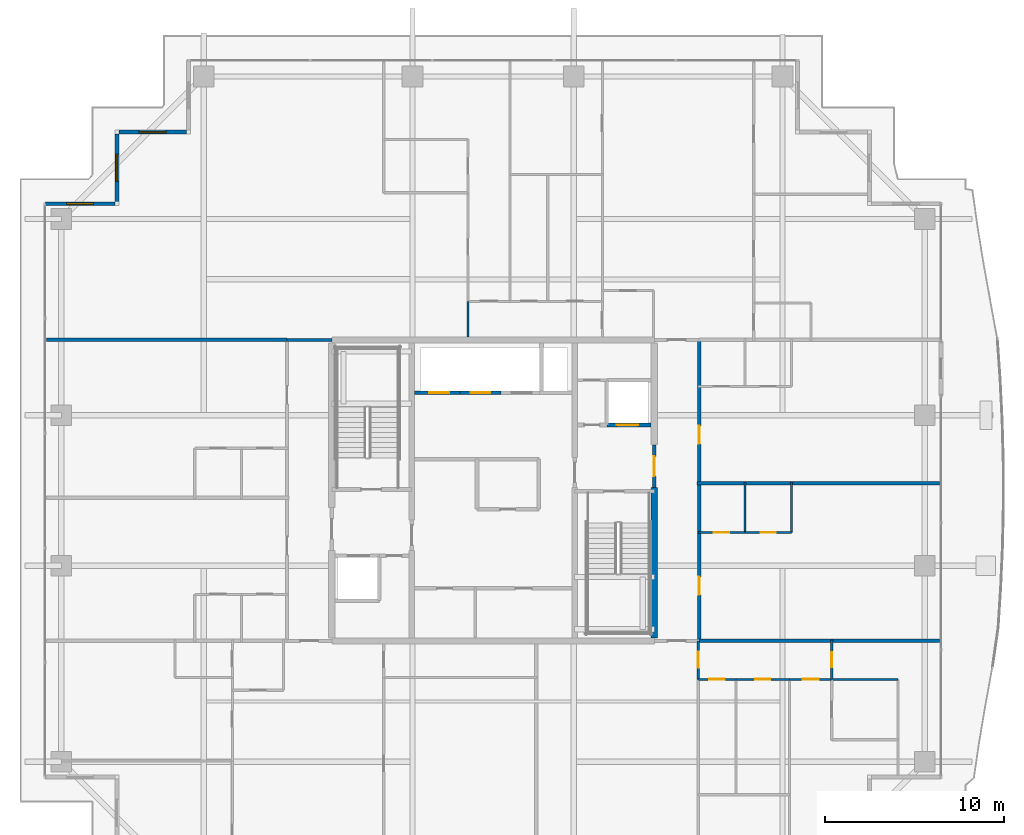
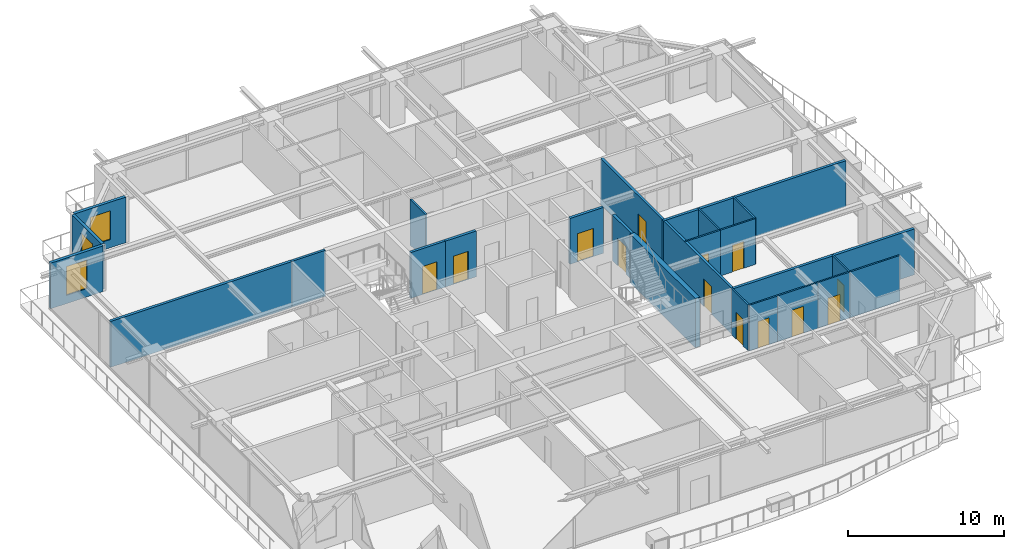
# One storey, part 28 of 37: 24 walls, 13 doors, 3 windows, 16 openings.
"""IFC4 building model written with IfcOpenShell, lengths in metres."""

from ifc_helpers import new_model, si_unit, direction, frame, frame_2d, origin, place, context, subcontext, project, spatial, rectangle, extrude, source, transform, mapped, material, layer, layer_set, type_object, element, fill, save


model = new_model("IFC4")

# Units and contexts
model_context = context("Model", 3, precision=1e-05, world=origin(), true_north=direction((0.0, 1.0)))
body_context = subcontext(model_context, "Body", "Model", "MODEL_VIEW")
ifc_project = project(units=[si_unit("LENGTHUNIT", "METRE"), si_unit("AREAUNIT", "SQUARE_METRE"), si_unit("VOLUMEUNIT", "CUBIC_METRE"), si_unit("PLANEANGLEUNIT", "RADIAN"), si_unit("MASSUNIT", "GRAM", prefix="KILO")], contexts=[model_context])

# Site, building, storey
site_placement = place(None, origin())
site = spatial("IfcSite", under=ifc_project, at=site_placement, CompositionType="ELEMENT")
building_placement = place(site_placement, origin())
building = spatial("IfcBuilding", under=site, at=building_placement, Name="Serunith Strait Residences", CompositionType="ELEMENT")
storey_placement = place(building_placement, frame((0.0, 0.0, 260.5)))
storey = spatial("IfcBuildingStorey", under=building, at=storey_placement, Name="L65", CompositionType="ELEMENT", Elevation=260.5)

# Wall, opening, window
ifc_material_1 = material(Name="Pale-Champagne Aluminium Insulated Panel", Category="aluminium")
ifc_layer_1 = layer(ifc_material_1, 0.219970703125, Name="Pale-Champagne Aluminium Insulated Panel")
ifc_layer_set_1 = layer_set([ifc_layer_1], Name="Pale-Champagne Aluminium Insulated Panel")
wall_type_1 = type_object("IfcWallType", Name="EW-ALUM-220", PredefinedType="ELEMENTEDWALL", material=ifc_layer_set_1)
wall_1_placement = place(storey_placement, frame((15.2900390625, 45.199951171875, 0.0), z_axis=(0.0, 0.0, 1.0), x_axis=(-1.0, 0.0, 0.0)))
wall_1 = element("IfcWall", 1, at=wall_1_placement, inside=storey, type_object=wall_type_1, Name="L65 Girih Serrated Corner Wall 13", PredefinedType="ELEMENTEDWALL", context=body_context, shape_type="SweptSolid", body=[
    extrude(rectangle(XDim=3.780029296875, YDim=0.219970703125, at=frame_2d((1.89013671875, 0.0))), origin(), (0.0, 0.0, 1.0), 3.574951171875),
])
opening_1_placement = place(wall_1_placement, frame((1.139892578125, 0.0, 0.64990234375)))
opening_1 = element("IfcOpeningElement", 2, at=opening_1_placement, cuts=wall_1, Name="Opening W-05", PredefinedType="OPENING", context=body_context, shape_type="SweptSolid", body=[
    extrude(rectangle(XDim=1.5, YDim=2.25, at=frame_2d((0.75, 1.125))), frame((0.0, 0.1201171875, 0.0), z_axis=(0.0, -1.0, 0.0), x_axis=(1.0, 0.0, 0.0)), (0.0, 0.0, 1.0), 0.239990234375),
])
ifc_material_2 = material(Name="Ceramic-Fritted Operable Aluminium Window Glass", Category="aluminium")
window_type = type_object("IfcWindowType", Name="WIN-C5", PartitioningType="DOUBLE_PANEL_VERTICAL", PredefinedType="WINDOW", material=ifc_material_2)
shared_shape_1 = source(origin(), body_context, "Body", "SweptSolid", [
    extrude(rectangle(XDim=1.5, YDim=2.25, at=frame_2d((0.75, 1.125))), frame((0.0, 0.030029296875, 0.0), z_axis=(0.0, -1.0, 0.0), x_axis=(1.0, 0.0, 0.0)), (0.0, 0.0, 1.0), 0.06005859375),
])
window_1_placement = place(opening_1_placement, origin())
window_1 = element("IfcWindow", 3, at=window_1_placement, inside=storey, type_object=window_type, Name="L65 Corner Operable Fritted Window 13", OverallHeight=2.25, OverallWidth=1.5, PartitioningType="SINGLE_PANEL", PredefinedType="WINDOW", context=body_context, shape_type="MappedRepresentation", body=[
    mapped(shared_shape_1, transform((0.0, 0.0, 0.0), scale=1.0)),
])
fill(opening_1, window_1)

wall_2_placement = place(storey_placement, frame((11.39990234375, 45.090087890625, 0.0), z_axis=(0.0, 0.0, 1.0), x_axis=(0.0, -1.0, 0.0)))
wall_2 = element("IfcWall", 4, at=wall_2_placement, inside=storey, type_object=wall_type_1, Name="L65 Girih Serrated Corner Wall 14", PredefinedType="ELEMENTEDWALL", context=body_context, shape_type="SweptSolid", body=[
    extrude(rectangle(XDim=3.780029296875, YDim=0.219970703125, at=frame_2d((1.89013671875, 0.0))), origin(), (0.0, 0.0, 1.0), 3.574951171875),
])
opening_2_placement = place(wall_2_placement, frame((1.139892578125, 0.0, 0.64990234375)))
opening_2 = element("IfcOpeningElement", 5, at=opening_2_placement, cuts=wall_2, Name="Opening W-05", PredefinedType="OPENING", context=body_context, shape_type="SweptSolid", body=[
    extrude(rectangle(XDim=1.5, YDim=2.25, at=frame_2d((0.75, 1.125))), frame((0.0, 0.1201171875, 0.0), z_axis=(0.0, -1.0, 0.0), x_axis=(1.0, 0.0, 0.0)), (0.0, 0.0, 1.0), 0.239990234375),
])
window_2_placement = place(opening_2_placement, origin())
window_2 = element("IfcWindow", 6, at=window_2_placement, inside=storey, type_object=window_type, Name="L65 Corner Operable Fritted Window 14", OverallHeight=2.25, OverallWidth=1.5, PartitioningType="SINGLE_PANEL", PredefinedType="WINDOW", context=body_context, shape_type="MappedRepresentation", body=[
    mapped(shared_shape_1, transform((0.0, 0.0, 0.0), scale=1.0)),
])
fill(opening_2, window_2)

wall_3_placement = place(storey_placement, frame((11.2900390625, 41.199951171875, 0.0), z_axis=(0.0, 0.0, 1.0), x_axis=(-1.0, 0.0, 0.0)))
wall_3 = element("IfcWall", 7, at=wall_3_placement, inside=storey, type_object=wall_type_1, Name="L65 Girih Serrated Corner Wall 15", PredefinedType="ELEMENTEDWALL", context=body_context, shape_type="SweptSolid", body=[
    extrude(rectangle(XDim=3.89013671875, YDim=0.219970703125, at=frame_2d((1.945068359375, 0.0))), origin(), (0.0, 0.0, 1.0), 3.574951171875),
])
opening_3_placement = place(wall_3_placement, frame((1.195068359375, 0.0, 0.64990234375)))
opening_3 = element("IfcOpeningElement", 8, at=opening_3_placement, cuts=wall_3, Name="Opening W-05", PredefinedType="OPENING", context=body_context, shape_type="SweptSolid", body=[
    extrude(rectangle(XDim=1.5, YDim=2.25, at=frame_2d((0.75, 1.125))), frame((0.0, 0.1201171875, 0.0), z_axis=(0.0, -1.0, 0.0), x_axis=(1.0, 0.0, 0.0)), (0.0, 0.0, 1.0), 0.239990234375),
])
window_3_placement = place(opening_3_placement, origin())
window_3 = element("IfcWindow", 9, at=window_3_placement, inside=storey, type_object=window_type, Name="L65 Corner Operable Fritted Window 15", OverallHeight=2.25, OverallWidth=1.5, PartitioningType="SINGLE_PANEL", PredefinedType="WINDOW", context=body_context, shape_type="MappedRepresentation", body=[
    mapped(shared_shape_1, transform((0.0, 0.0, 0.0), scale=1.0)),
])
fill(opening_3, window_3)

# Wall
ifc_material_3 = material(Name="Fire-rated acoustic gypsum partition")
ifc_layer_2 = layer(ifc_material_3, 0.179931640625, Name="Fire-rated acoustic gypsum partition")
ifc_layer_set_2 = layer_set([ifc_layer_2], Name="Fire-rated acoustic gypsum partition")
wall_type_2 = type_object("IfcWallType", Name="IW-CORR-180", PredefinedType="PARTITIONING", material=ifc_layer_set_2)
wall_4_placement = place(storey_placement, frame((20.902099609375, 33.60009765625, 0.0), z_axis=(0.0, 0.0, 1.0), x_axis=(1.0, 0.0, 0.0)))
element("IfcWall", 10, at=wall_4_placement, inside=storey, type_object=wall_type_2, Name="L65 Partition Wall 027", PredefinedType="PARTITIONING", context=body_context, shape_type="SweptSolid", body=[
    extrude(rectangle(XDim=2.495849609375, YDim=0.179931640625, at=frame_2d((1.248046875, 0.0))), origin(), (0.0, 0.0, 1.0), 3.590087890625),
])

# Wall, openings, doors
wall_5_placement = place(storey_placement, frame((43.89990234375, 16.800048828125, 0.0), z_axis=(0.0, 0.0, 1.0), x_axis=(0.0, 1.0, 0.0)))
wall_5 = element("IfcWall", 11, at=wall_5_placement, inside=storey, type_object=wall_type_2, Name="L65 Partition Wall 031", PredefinedType="PARTITIONING", context=body_context, shape_type="SweptSolid", body=[
    extrude(rectangle(XDim=16.800048828125, YDim=0.179931640625, at=frame_2d((8.39990234375, 0.0))), origin(), (0.0, 0.0, 1.0), 3.590087890625),
])
opening_4_placement = place(wall_5_placement, frame((2.574951171875, 0.0, 0.0)))
opening_4 = element("IfcOpeningElement", 12, at=opening_4_placement, cuts=wall_5, Name="Opening D-APT1000", PredefinedType="OPENING", context=body_context, shape_type="SweptSolid", body=[
    extrude(rectangle(XDim=1.0, YDim=2.14990234375, at=frame_2d((0.5, 1.074951171875))), frame((0.0, 0.10009765625, 0.0), z_axis=(0.0, -1.0, 0.0), x_axis=(1.0, 0.0, 0.0)), (0.0, 0.0, 1.0), 0.199951171875),
])
opening_5_placement = place(wall_5_placement, frame((10.9970703125, 0.0, 0.0)))
opening_5 = element("IfcOpeningElement", 13, at=opening_5_placement, cuts=wall_5, Name="Opening D-APT1000", PredefinedType="OPENING", context=body_context, shape_type="SweptSolid", body=[
    extrude(rectangle(XDim=1.0, YDim=2.14990234375, at=frame_2d((0.5, 1.074951171875))), frame((0.0, 0.10009765625, 0.0), z_axis=(0.0, -1.0, 0.0), x_axis=(1.0, 0.0, 0.0)), (0.0, 0.0, 1.0), 0.199951171875),
])
ifc_material_4 = material(Name="Solid timber engineered fire door", Category="wood")
door_type_1 = type_object("IfcDoorType", Name="ID-APT-1000", OperationType="NOTDEFINED", PredefinedType="DOOR", material=ifc_material_4)
shared_shape_2 = source(origin(), body_context, "Body", "SweptSolid", [
    extrude(rectangle(XDim=1.0, YDim=2.14990234375, at=frame_2d((0.5, 1.074951171875))), frame((0.0, 0.02490234375, 0.0), z_axis=(0.0, -1.0, 0.0), x_axis=(1.0, 0.0, 0.0)), (0.0, 0.0, 1.0), 0.050048828125),
])
door_1_placement = place(opening_4_placement, origin())
door_1 = element("IfcDoor", 14, at=door_1_placement, inside=storey, type_object=door_type_1, Name="L65 Unit 06 Entrance Door", OperationType="SINGLE_SWING_LEFT", OverallHeight=2.14990234375, OverallWidth=1.0, PredefinedType="DOOR", context=body_context, shape_type="MappedRepresentation", body=[
    mapped(shared_shape_2, transform((0.0, 0.0, 0.0), scale=1.0)),
])
fill(opening_4, door_1)
door_2_placement = place(opening_5_placement, origin())
door_2 = element("IfcDoor", 15, at=door_2_placement, inside=storey, type_object=door_type_1, Name="L65 Unit 07 Entrance Door", OperationType="SINGLE_SWING_RIGHT", OverallHeight=2.14990234375, OverallWidth=1.0, PredefinedType="DOOR", context=body_context, shape_type="MappedRepresentation", body=[
    mapped(shared_shape_2, transform((0.0, 0.0, 0.0), scale=1.0)),
])
fill(opening_5, door_2)

# Wall, opening, door
ifc_material_5 = material(Name="Lightweight steel-stud gypsum partition", Category="steel")
ifc_layer_3 = layer(ifc_material_5, 0.1201171875, Name="Lightweight steel-stud gypsum partition")
ifc_layer_set_3 = layer_set([ifc_layer_3], Name="Lightweight steel-stud gypsum partition")
wall_type_3 = type_object("IfcWallType", Name="IW-PART-120", PredefinedType="PARTITIONING", material=ifc_layer_set_3)
wall_6_placement = place(storey_placement, frame((43.85009765625, 14.64990234375, 0.0), z_axis=(0.0, 0.0, 1.0), x_axis=(0.0, 1.0, 0.0)))
wall_6 = element("IfcWall", 16, at=wall_6_placement, inside=storey, type_object=wall_type_3, Name="L65 Partition Wall 045", PredefinedType="PARTITIONING", context=body_context, shape_type="SweptSolid", body=[
    extrude(rectangle(XDim=2.148193359375, YDim=0.1201171875, at=frame_2d((1.07421875, 0.0))), origin(), (0.0, 0.0, 1.0), 3.590087890625),
])
opening_6_placement = place(wall_6_placement, frame((0.64208984375, 0.0, 0.0)))
opening_6 = element("IfcOpeningElement", 17, at=opening_6_placement, cuts=wall_6, Name="Opening D-RM900", PredefinedType="OPENING", context=body_context, shape_type="SweptSolid", body=[
    extrude(rectangle(XDim=0.89990234375, YDim=2.10009765625, at=frame_2d((0.449951171875, 1.050048828125))), frame((0.0, 0.070068359375, 0.0), z_axis=(0.0, -1.0, 0.0), x_axis=(1.0, 0.0, 0.0)), (0.0, 0.0, 1.0), 0.14013671875),
])
ifc_material_6 = material(Name="Engineered timber flush bedroom door", Category="wood")
door_type_2 = type_object("IfcDoorType", Name="ID-ROOM-900", OperationType="NOTDEFINED", PredefinedType="DOOR", material=ifc_material_6)
shared_shape_3 = source(origin(), body_context, "Body", "SweptSolid", [
    extrude(rectangle(XDim=0.89990234375, YDim=2.10009765625, at=frame_2d((0.449951171875, 1.050048828125))), frame((0.0, 0.02490234375, 0.0), z_axis=(0.0, -1.0, 0.0), x_axis=(1.0, 0.0, 0.0)), (0.0, 0.0, 1.0), 0.050048828125),
])
door_3_placement = place(opening_6_placement, origin())
door_3 = element("IfcDoor", 18, at=door_3_placement, inside=storey, type_object=door_type_2, Name="L65 Hall E 6502 Door", OperationType="SINGLE_SWING_RIGHT", OverallHeight=2.10009765625, OverallWidth=0.89990234375, PredefinedType="DOOR", context=body_context, shape_type="MappedRepresentation", body=[
    mapped(shared_shape_3, transform((0.0, 0.0, 0.0), scale=1.0)),
])
fill(opening_6, door_3)

wall_7_placement = place(storey_placement, frame((43.85009765625, 14.64990234375, 0.0), z_axis=(0.0, 0.0, 1.0), x_axis=(1.0, 0.0, 0.0)))
wall_7 = element("IfcWall", 19, at=wall_7_placement, inside=storey, type_object=wall_type_3, Name="L65 Partition Wall 051", PredefinedType="PARTITIONING", context=body_context, shape_type="SweptSolid", body=[
    extrude(rectangle(XDim=2.099853515625, YDim=0.1201171875, at=frame_2d((1.0498046875, 0.0))), origin(), (0.0, 0.0, 1.0), 3.590087890625),
])
opening_7_placement = place(wall_7_placement, frame((0.625, 0.0, 0.0)))
opening_7 = element("IfcOpeningElement", 20, at=opening_7_placement, cuts=wall_7, Name="Opening D-BTH850", PredefinedType="OPENING", context=body_context, shape_type="SweptSolid", body=[
    extrude(rectangle(XDim=0.85009765625, YDim=2.10009765625, at=frame_2d((0.425048828125, 1.050048828125))), frame((0.0, 0.070068359375, 0.0), z_axis=(0.0, -1.0, 0.0), x_axis=(1.0, 0.0, 0.0)), (0.0, 0.0, 1.0), 0.14013671875),
])
ifc_material_7 = material(Name="Moisture-resistant timber bathroom door", Category="wood")
door_type_3 = type_object("IfcDoorType", Name="ID-BATH-850", OperationType="NOTDEFINED", PredefinedType="DOOR", material=ifc_material_7)
shared_shape_4 = source(origin(), body_context, "Body", "SweptSolid", [
    extrude(rectangle(XDim=0.85009765625, YDim=2.10009765625, at=frame_2d((0.425048828125, 1.050048828125))), frame((0.0, 0.02490234375, 0.0), z_axis=(0.0, -1.0, 0.0), x_axis=(1.0, 0.0, 0.0)), (0.0, 0.0, 1.0), 0.050048828125),
])
door_4_placement = place(opening_7_placement, origin())
door_4 = element("IfcDoor", 21, at=door_4_placement, inside=storey, type_object=door_type_3, Name="L65 Bathroom 6502 Door", OperationType="SINGLE_SWING_RIGHT", OverallHeight=2.10009765625, OverallWidth=0.85009765625, PredefinedType="DOOR", context=body_context, shape_type="MappedRepresentation", body=[
    mapped(shared_shape_4, transform((0.0, 0.0, 0.0), scale=1.0)),
])
fill(opening_7, door_4)

wall_8_placement = place(storey_placement, frame((45.951904296875, 14.64990234375, 0.0), z_axis=(0.0, 0.0, 1.0), x_axis=(1.0, 0.0, 0.0)))
wall_8 = element("IfcWall", 22, at=wall_8_placement, inside=storey, type_object=wall_type_3, Name="L65 Partition Wall 052", PredefinedType="PARTITIONING", context=body_context, shape_type="SweptSolid", body=[
    extrude(rectangle(XDim=2.998046875, YDim=0.1201171875, at=frame_2d((1.4990234375, 0.0))), origin(), (0.0, 0.0, 1.0), 3.590087890625),
])
opening_8_placement = place(wall_8_placement, frame((1.073974609375, 0.0, 0.0)))
opening_8 = element("IfcOpeningElement", 23, at=opening_8_placement, cuts=wall_8, Name="Opening D-RM850", PredefinedType="OPENING", context=body_context, shape_type="SweptSolid", body=[
    extrude(rectangle(XDim=0.85009765625, YDim=2.10009765625, at=frame_2d((0.425048828125, 1.050048828125))), frame((0.0, 0.070068359375, 0.0), z_axis=(0.0, -1.0, 0.0), x_axis=(1.0, 0.0, 0.0)), (0.0, 0.0, 1.0), 0.14013671875),
])
ifc_material_8 = material(Name="Engineered timber flush study and kitchen door", Category="wood")
door_type_4 = type_object("IfcDoorType", Name="ID-ROOM-850", OperationType="NOTDEFINED", PredefinedType="DOOR", material=ifc_material_8)
door_5_placement = place(opening_8_placement, origin())
door_5 = element("IfcDoor", 24, at=door_5_placement, inside=storey, type_object=door_type_4, Name="L65 Kitchen 6502 Door", OperationType="SINGLE_SWING_LEFT", OverallHeight=2.10009765625, OverallWidth=0.85009765625, PredefinedType="DOOR", context=body_context, shape_type="MappedRepresentation", body=[
    mapped(shared_shape_4, transform((0.0, 0.0, 0.0), scale=1.0)),
])
fill(opening_8, door_5)

wall_9_placement = place(storey_placement, frame((48.951904296875, 14.64990234375, 0.0), z_axis=(0.0, 0.0, 1.0), x_axis=(1.0, 0.0, 0.0)))
wall_9 = element("IfcWall", 25, at=wall_9_placement, inside=storey, type_object=wall_type_3, Name="L65 Partition Wall 053", PredefinedType="PARTITIONING", context=body_context, shape_type="SweptSolid", body=[
    extrude(rectangle(XDim=2.34814453125, YDim=0.1201171875, at=frame_2d((1.174072265625, 0.0))), origin(), (0.0, 0.0, 1.0), 3.590087890625),
])
opening_9_placement = place(wall_9_placement, frame((0.72412109375, 0.0, 0.0)))
opening_9 = element("IfcOpeningElement", 26, at=opening_9_placement, cuts=wall_9, Name="Opening D-RM900", PredefinedType="OPENING", context=body_context, shape_type="SweptSolid", body=[
    extrude(rectangle(XDim=0.89990234375, YDim=2.10009765625, at=frame_2d((0.449951171875, 1.050048828125))), frame((0.0, 0.070068359375, 0.0), z_axis=(0.0, -1.0, 0.0), x_axis=(1.0, 0.0, 0.0)), (0.0, 0.0, 1.0), 0.14013671875),
])
door_6_placement = place(opening_9_placement, origin())
door_6 = element("IfcDoor", 27, at=door_6_placement, inside=storey, type_object=door_type_2, Name="L65 Master Bedroom E 6502 Door", OperationType="SINGLE_SWING_RIGHT", OverallHeight=2.10009765625, OverallWidth=0.89990234375, PredefinedType="DOOR", context=body_context, shape_type="MappedRepresentation", body=[
    mapped(shared_shape_3, transform((0.0, 0.0, 0.0), scale=1.0)),
])
fill(opening_9, door_6)

# Wall
wall_10_placement = place(storey_placement, frame((51.302001953125, 14.64990234375, 0.0), z_axis=(0.0, 0.0, 1.0), x_axis=(1.0, 0.0, 0.0)))
element("IfcWall", 28, at=wall_10_placement, inside=storey, type_object=wall_type_3, Name="L65 Partition Wall 056", PredefinedType="PARTITIONING", context=body_context, shape_type="SweptSolid", body=[
    extrude(rectangle(XDim=3.697998046875, YDim=0.1201171875, at=frame_2d((1.84912109375, 0.0))), origin(), (0.0, 0.0, 1.0), 3.590087890625),
])

# Wall, opening, door
wall_11_placement = place(storey_placement, frame((51.300048828125, 14.652099609375, 0.0), z_axis=(0.0, 0.0, 1.0), x_axis=(0.0, 1.0, 0.0)))
wall_11 = element("IfcWall", 29, at=wall_11_placement, inside=storey, type_object=wall_type_3, Name="L65 Partition Wall 058", PredefinedType="PARTITIONING", context=body_context, shape_type="SweptSolid", body=[
    extrude(rectangle(XDim=2.2080078125, YDim=0.1201171875, at=frame_2d((1.10400390625, 0.0))), origin(), (0.0, 0.0, 1.0), 3.590087890625),
])
opening_10_placement = place(wall_11_placement, frame((0.678955078125, 0.0, 0.0)))
opening_10 = element("IfcOpeningElement", 30, at=opening_10_placement, cuts=wall_11, Name="Opening D-RM850", PredefinedType="OPENING", context=body_context, shape_type="SweptSolid", body=[
    extrude(rectangle(XDim=0.85009765625, YDim=2.10009765625, at=frame_2d((0.425048828125, 1.050048828125))), frame((0.0, 0.070068359375, 0.0), z_axis=(0.0, -1.0, 0.0), x_axis=(1.0, 0.0, 0.0)), (0.0, 0.0, 1.0), 0.14013671875),
])
door_7_placement = place(opening_10_placement, origin())
door_7 = element("IfcDoor", 31, at=door_7_placement, inside=storey, type_object=door_type_4, Name="L65 Wardrobe E 6502 Door", OperationType="SINGLE_SWING_RIGHT", OverallHeight=2.10009765625, OverallWidth=0.85009765625, PredefinedType="DOOR", context=body_context, shape_type="MappedRepresentation", body=[
    mapped(shared_shape_4, transform((0.0, 0.0, 0.0), scale=1.0)),
])
fill(opening_10, door_7)

# Wall
wall_12_placement = place(storey_placement, frame((31.0, 35.748046875, 0.0), z_axis=(0.0, 0.0, 1.0), x_axis=(0.0, -1.0, 0.0)))
element("IfcWall", 32, at=wall_12_placement, inside=storey, type_object=wall_type_3, Name="L65 Partition Wall 075", PredefinedType="PARTITIONING", context=body_context, shape_type="SweptSolid", body=[
    extrude(rectangle(XDim=1.97314453125, YDim=0.1201171875, at=frame_2d((0.986572265625, 0.0))), origin(), (0.0, 0.0, 1.0), 3.590087890625),
])

# Wall, opening, door
wall_13_placement = place(storey_placement, frame((49.050048828125, 22.85009765625, 0.0), z_axis=(0.0, 0.0, 1.0), x_axis=(-1.0, 0.0, 0.0)))
wall_13 = element("IfcWall", 33, at=wall_13_placement, inside=storey, type_object=wall_type_3, Name="L65 Partition Wall 090", PredefinedType="PARTITIONING", context=body_context, shape_type="SweptSolid", body=[
    extrude(rectangle(XDim=2.60009765625, YDim=0.1201171875, at=frame_2d((1.300048828125, 0.0))), origin(), (0.0, 0.0, 1.0), 3.590087890625),
])
opening_11_placement = place(wall_13_placement, frame((0.875, 0.0, 0.0)))
opening_11 = element("IfcOpeningElement", 34, at=opening_11_placement, cuts=wall_13, Name="Opening D-RM850", PredefinedType="OPENING", context=body_context, shape_type="SweptSolid", body=[
    extrude(rectangle(XDim=0.85009765625, YDim=2.10009765625, at=frame_2d((0.425048828125, 1.050048828125))), frame((0.0, 0.070068359375, 0.0), z_axis=(0.0, -1.0, 0.0), x_axis=(1.0, 0.0, 0.0)), (0.0, 0.0, 1.0), 0.14013671875),
])
door_8_placement = place(opening_11_placement, origin())
door_8 = element("IfcDoor", 35, at=door_8_placement, inside=storey, type_object=door_type_4, Name="L65 Kitchen 6506 Door", OperationType="SINGLE_SWING_RIGHT", OverallHeight=2.10009765625, OverallWidth=0.85009765625, PredefinedType="DOOR", context=body_context, shape_type="MappedRepresentation", body=[
    mapped(shared_shape_4, transform((0.0, 0.0, 0.0), scale=1.0)),
])
fill(opening_11, door_8)

wall_14_placement = place(storey_placement, frame((46.447998046875, 22.85009765625, 0.0), z_axis=(0.0, 0.0, 1.0), x_axis=(-1.0, 0.0, 0.0)))
wall_14 = element("IfcWall", 36, at=wall_14_placement, inside=storey, type_object=wall_type_3, Name="L65 Partition Wall 091", PredefinedType="PARTITIONING", context=body_context, shape_type="SweptSolid", body=[
    extrude(rectangle(XDim=2.60791015625, YDim=0.1201171875, at=frame_2d((1.303955078125, 0.0))), origin(), (0.0, 0.0, 1.0), 3.590087890625),
])
opening_12_placement = place(wall_14_placement, frame((0.87890625, 0.0, 0.0)))
opening_12 = element("IfcOpeningElement", 37, at=opening_12_placement, cuts=wall_14, Name="Opening D-BTH850", PredefinedType="OPENING", context=body_context, shape_type="SweptSolid", body=[
    extrude(rectangle(XDim=0.85009765625, YDim=2.10009765625, at=frame_2d((0.425048828125, 1.050048828125))), frame((0.0, 0.070068359375, 0.0), z_axis=(0.0, -1.0, 0.0), x_axis=(1.0, 0.0, 0.0)), (0.0, 0.0, 1.0), 0.14013671875),
])
door_9_placement = place(opening_12_placement, origin())
door_9 = element("IfcDoor", 38, at=door_9_placement, inside=storey, type_object=door_type_3, Name="L65 Bathroom 6506 Door", OperationType="SINGLE_SWING_LEFT", OverallHeight=2.10009765625, OverallWidth=0.85009765625, PredefinedType="DOOR", context=body_context, shape_type="MappedRepresentation", body=[
    mapped(shared_shape_4, transform((0.0, 0.0, 0.0), scale=1.0)),
])
fill(opening_12, door_9)

# Walls
for number, where, z_axis, x_axis, name in (
    (39, (46.449951171875, 22.85009765625, 0.0), (0.0, 0.0, 1.0), (0.0, 1.0, 0.0), "L65 Partition Wall 092"),
    (40, (49.050048828125, 22.85009765625, 0.0), (0.0, 0.0, 1.0), (0.0, 1.0, 0.0), "L65 Partition Wall 093"),
):
    element("IfcWall", number, at=place(storey_placement, frame(where, z_axis=z_axis, x_axis=x_axis)), inside=storey, type_object=wall_type_3, Name=name, PredefinedType="PARTITIONING", context=body_context, shape_type="SweptSolid", body=[
        extrude(rectangle(XDim=2.809814453125, YDim=0.1201171875, at=frame_2d((1.40478515625, 0.0))), origin(), (0.0, 0.0, 1.0), 3.590087890625),
    ])
ifc_material_9 = material(Name="Twin-stud acoustic gypsum board partition")
ifc_layer_4 = layer(ifc_material_9, 0.199951171875, Name="Twin-stud acoustic gypsum board partition")
ifc_layer_set_4 = layer_set([ifc_layer_4], Name="Twin-stud acoustic gypsum board partition")
wall_type_4 = type_object("IfcWallType", Name="IW-PARTY-200", PredefinedType="PARTITIONING", material=ifc_layer_set_4)
wall_15_placement = place(storey_placement, frame((43.780029296875, 25.60009765625, 0.0), z_axis=(0.0, 0.0, 1.0), x_axis=(1.0, 0.0, 0.0)))
element("IfcWall", 41, at=wall_15_placement, inside=storey, type_object=wall_type_4, Name="L65 Partition Wall 021", PredefinedType="PARTITIONING", context=body_context, shape_type="SweptSolid", body=[
    extrude(rectangle(XDim=13.5380859375, YDim=0.199951171875, at=frame_2d((6.76904296875, 0.0))), origin(), (0.0, 0.0, 1.0), 3.590087890625),
])
wall_16_placement = place(storey_placement, frame((43.89990234375, 16.800048828125, 0.0), z_axis=(0.0, 0.0, 1.0), x_axis=(1.0, 0.0, 0.0)))
element("IfcWall", 42, at=wall_16_placement, inside=storey, type_object=wall_type_4, Name="L65 Partition Wall 023", PredefinedType="PARTITIONING", context=body_context, shape_type="SweptSolid", body=[
    extrude(rectangle(XDim=13.418212890625, YDim=0.199951171875, at=frame_2d((6.708984375, 0.0))), origin(), (0.0, 0.0, 1.0), 3.590087890625),
])
wall_17_placement = place(storey_placement, frame((7.48193359375, 33.60009765625, 0.0), z_axis=(0.0, 0.0, 1.0), x_axis=(1.0, 0.0, 0.0)))
element("IfcWall", 43, at=wall_17_placement, inside=storey, type_object=wall_type_4, Name="L65 Partition Wall 024", PredefinedType="PARTITIONING", context=body_context, shape_type="SweptSolid", body=[
    extrude(rectangle(XDim=13.41796875, YDim=0.199951171875, at=frame_2d((6.708984375, 0.0))), origin(), (0.0, 0.0, 1.0), 3.590087890625),
])

# Wall, opening, door
ifc_material_10 = material(Name="Autoclaved aerated concrete blockwork", Category="masonry")
ifc_layer_5 = layer(ifc_material_10, 0.199951171875, Name="Autoclaved aerated concrete blockwork")
ifc_layer_set_5 = layer_set([ifc_layer_5], Name="Autoclaved aerated concrete blockwork")
wall_type_5 = type_object("IfcWallType", Name="IW-SHAFT-200", PredefinedType="STANDARD", material=ifc_layer_set_5)
wall_18_placement = place(storey_placement, frame((38.75, 28.85009765625, 0.0), z_axis=(0.0, 0.0, 1.0), x_axis=(1.0, 0.0, 0.0)))
wall_18 = element("IfcWall", 44, at=wall_18_placement, inside=storey, type_object=wall_type_5, Name="L65 FL-2 South Shaft Wall", PredefinedType="STANDARD", context=body_context, shape_type="SweptSolid", body=[
    extrude(rectangle(XDim=2.47509765625, YDim=0.199951171875, at=frame_2d((1.237548828125, 0.0))), origin(), (0.0, 0.0, 1.0), 3.590087890625),
])
opening_13_placement = place(wall_18_placement, frame((0.550048828125, 0.0, 0.0)))
opening_13 = element("IfcOpeningElement", 45, at=opening_13_placement, cuts=wall_18, Name="Opening LD-FF1200", PredefinedType="OPENING", context=body_context, shape_type="SweptSolid", body=[
    extrude(rectangle(XDim=1.199951171875, YDim=2.199951171875, at=frame_2d((0.60009765625, 1.10009765625))), frame((0.0, 0.10986328125, 0.0), z_axis=(0.0, -1.0, 0.0), x_axis=(1.0, 0.0, 0.0)), (0.0, 0.0, 1.0), 0.219970703125),
])
ifc_material_11 = material(Name="Brushed stainless steel landing door", Category="steel")
door_type_5 = type_object("IfcDoorType", Name="LD-FF-1200", OperationType="DOUBLE_DOOR_SLIDING", PredefinedType="DOOR", material=ifc_material_11)
shared_shape_5 = source(origin(), body_context, "Body", "SweptSolid", [
    extrude(rectangle(XDim=1.199951171875, YDim=2.199951171875, at=frame_2d((0.60009765625, 1.10009765625))), frame((0.0, 0.02490234375, 0.0), z_axis=(0.0, -1.0, 0.0), x_axis=(1.0, 0.0, 0.0)), (0.0, 0.0, 1.0), 0.050048828125),
])
door_10_placement = place(opening_13_placement, origin())
door_10 = element("IfcDoor", 46, at=door_10_placement, inside=storey, type_object=door_type_5, Name="L65 FL-2 Landing Door", OperationType="DOUBLE_DOOR_SLIDING", OverallHeight=2.199951171875, OverallWidth=1.199951171875, PredefinedType="DOOR", context=body_context, shape_type="MappedRepresentation", body=[
    mapped(shared_shape_5, transform((0.0, 0.0, 0.0), scale=1.0)),
])
fill(opening_13, door_10)

wall_19_placement = place(storey_placement, frame((28.0, 30.64990234375, 0.0), z_axis=(0.0, 0.0, 1.0), x_axis=(1.0, 0.0, 0.0)))
wall_19 = element("IfcWall", 47, at=wall_19_placement, inside=storey, type_object=wall_type_5, Name="L65 PL-7 South Shaft Wall", PredefinedType="STANDARD", context=body_context, shape_type="SweptSolid", body=[
    extrude(rectangle(XDim=2.550048828125, YDim=0.199951171875, at=frame_2d((1.27490234375, 0.0))), origin(), (0.0, 0.0, 1.0), 3.590087890625),
])
opening_14_placement = place(wall_19_placement, frame((0.85009765625, 0.0, 0.0)))
opening_14 = element("IfcOpeningElement", 48, at=opening_14_placement, cuts=wall_19, Name="Opening LD-1100", PredefinedType="OPENING", context=body_context, shape_type="SweptSolid", body=[
    extrude(rectangle(XDim=1.10009765625, YDim=2.199951171875, at=frame_2d((0.550048828125, 1.10009765625))), frame((0.0, 0.10986328125, 0.0), z_axis=(0.0, -1.0, 0.0), x_axis=(1.0, 0.0, 0.0)), (0.0, 0.0, 1.0), 0.219970703125),
])
ifc_material_12 = material(Name="Pale-champagne stainless landing door")
door_type_6 = type_object("IfcDoorType", Name="LD-LIFT-1100", OperationType="DOUBLE_DOOR_SLIDING", PredefinedType="DOOR", material=ifc_material_12)
shared_shape_6 = source(origin(), body_context, "Body", "SweptSolid", [
    extrude(rectangle(XDim=1.10009765625, YDim=2.199951171875, at=frame_2d((0.550048828125, 1.10009765625))), frame((0.0, 0.02490234375, 0.0), z_axis=(0.0, -1.0, 0.0), x_axis=(1.0, 0.0, 0.0)), (0.0, 0.0, 1.0), 0.050048828125),
])
door_11_placement = place(opening_14_placement, origin())
door_11 = element("IfcDoor", 49, at=door_11_placement, inside=storey, type_object=door_type_6, Name="L65 PL-7 Landing Door", OperationType="DOUBLE_DOOR_SLIDING", OverallHeight=2.199951171875, OverallWidth=1.10009765625, PredefinedType="DOOR", context=body_context, shape_type="MappedRepresentation", body=[
    mapped(shared_shape_6, transform((0.0, 0.0, 0.0), scale=1.0)),
])
fill(opening_14, door_11)

wall_20_placement = place(storey_placement, frame((30.550048828125, 30.64990234375, 0.0), z_axis=(0.0, 0.0, 1.0), x_axis=(1.0, 0.0, 0.0)))
wall_20 = element("IfcWall", 50, at=wall_20_placement, inside=storey, type_object=wall_type_5, Name="L65 PL-8 South Shaft Wall", PredefinedType="STANDARD", context=body_context, shape_type="SweptSolid", body=[
    extrude(rectangle(XDim=2.300048828125, YDim=0.199951171875, at=frame_2d((1.14990234375, 0.0))), origin(), (0.0, 0.0, 1.0), 3.590087890625),
])
opening_15_placement = place(wall_20_placement, frame((0.60009765625, 0.0, 0.0)))
opening_15 = element("IfcOpeningElement", 51, at=opening_15_placement, cuts=wall_20, Name="Opening LD-1100", PredefinedType="OPENING", context=body_context, shape_type="SweptSolid", body=[
    extrude(rectangle(XDim=1.10009765625, YDim=2.199951171875, at=frame_2d((0.550048828125, 1.10009765625))), frame((0.0, 0.10986328125, 0.0), z_axis=(0.0, -1.0, 0.0), x_axis=(1.0, 0.0, 0.0)), (0.0, 0.0, 1.0), 0.219970703125),
])
door_12_placement = place(opening_15_placement, origin())
door_12 = element("IfcDoor", 52, at=door_12_placement, inside=storey, type_object=door_type_6, Name="L65 PL-8 Landing Door", OperationType="DOUBLE_DOOR_SLIDING", OverallHeight=2.199951171875, OverallWidth=1.10009765625, PredefinedType="DOOR", context=body_context, shape_type="MappedRepresentation", body=[
    mapped(shared_shape_6, transform((0.0, 0.0, 0.0), scale=1.0)),
])
fill(opening_15, door_12)

wall_21_placement = place(storey_placement, frame((41.39990234375, 25.35205078125, 0.0), z_axis=(0.0, 0.0, 1.0), x_axis=(0.0, 1.0, 0.0)))
wall_21 = element("IfcWall", 53, at=wall_21_placement, inside=storey, type_object=wall_type_5, Name="L65 Partition Wall 008", PredefinedType="STANDARD", context=body_context, shape_type="SweptSolid", body=[
    extrude(rectangle(XDim=2.39599609375, YDim=0.199951171875, at=frame_2d((1.197998046875, 0.0))), origin(), (0.0, 0.0, 1.0), 3.590087890625),
])
opening_16_placement = place(wall_21_placement, frame((0.64794921875, 0.0, 0.0)))
opening_16 = element("IfcOpeningElement", 54, at=opening_16_placement, cuts=wall_21, Name="Opening FD-FFL", PredefinedType="OPENING", context=body_context, shape_type="SweptSolid", body=[
    extrude(rectangle(XDim=1.10009765625, YDim=2.14990234375, at=frame_2d((0.550048828125, 1.074951171875))), frame((0.0, 0.10986328125, 0.0), z_axis=(0.0, -1.0, 0.0), x_axis=(1.0, 0.0, 0.0)), (0.0, 0.0, 1.0), 0.219970703125),
])
ifc_material_13 = material(Name="Glazed steel smoke-lobby fire door", Category="steel")
door_type_7 = type_object("IfcDoorType", Name="FD-FFL-1100", OperationType="NOTDEFINED", PredefinedType="DOOR", material=ifc_material_13)
shared_shape_7 = source(origin(), body_context, "Body", "SweptSolid", [
    extrude(rectangle(XDim=1.10009765625, YDim=2.14990234375, at=frame_2d((0.550048828125, 1.074951171875))), frame((0.0, 0.02490234375, 0.0), z_axis=(0.0, -1.0, 0.0), x_axis=(1.0, 0.0, 0.0)), (0.0, 0.0, 1.0), 0.050048828125),
])
door_13_placement = place(opening_16_placement, origin())
door_13 = element("IfcDoor", 55, at=door_13_placement, inside=storey, type_object=door_type_7, Name="L65 FFL-2 Corridor Fire Door", OperationType="SINGLE_SWING_LEFT", OverallHeight=2.14990234375, OverallWidth=1.10009765625, PredefinedType="DOOR", context=body_context, shape_type="MappedRepresentation", body=[
    mapped(shared_shape_7, transform((0.0, 0.0, 0.0), scale=1.0)),
])
fill(opening_16, door_13)

# Wall
ifc_material_14 = material(Name="Concrete C60/75", Category="concrete")
ifc_layer_6 = layer(ifc_material_14, 0.35009765625, Name="Concrete C60/75")
ifc_layer_set_6 = layer_set([ifc_layer_6], Name="Concrete C60/75")
wall_type_6 = type_object("IfcWallType", Name="SW-350-C60", PredefinedType="SHEAR", material=ifc_layer_set_6)
wall_22_placement = place(storey_placement, frame((41.39990234375, 16.97509765625, -0.260009765625), z_axis=(0.0, 0.0, 1.0), x_axis=(0.0, 1.0, 0.0)))
element("IfcWall", 56, at=wall_22_placement, inside=storey, type_object=wall_type_6, Name="L65 Core East Shear Wall South Pier", PredefinedType="SHEAR", context=body_context, shape_type="SweptSolid", body=[
    extrude(rectangle(XDim=8.375, YDim=0.35009765625, at=frame_2d((4.1875, 0.0))), origin(), (0.0, 0.0, 1.0), 3.847900390625),
])

save(model, "model.ifc")
